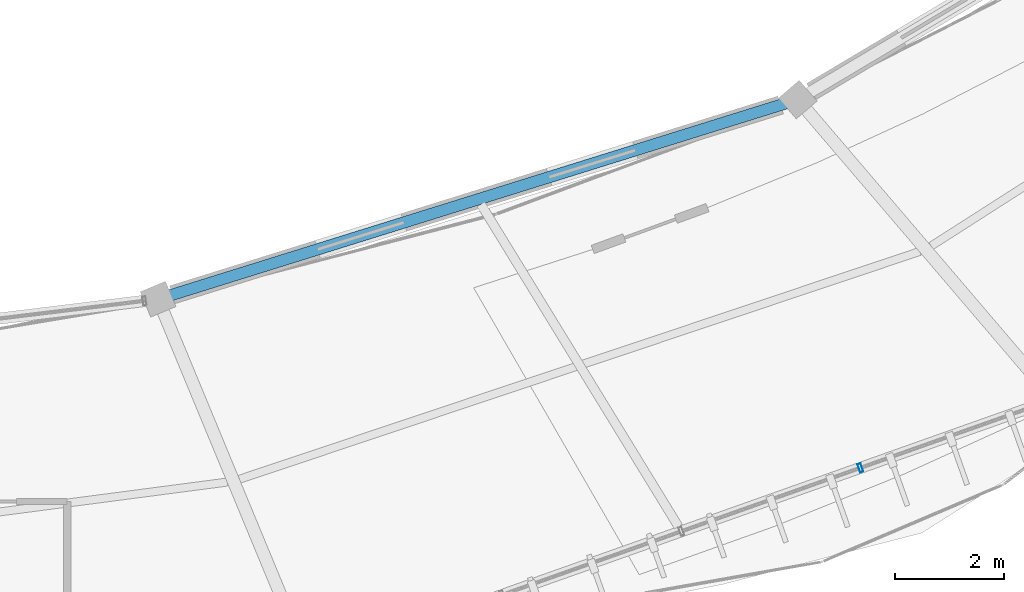
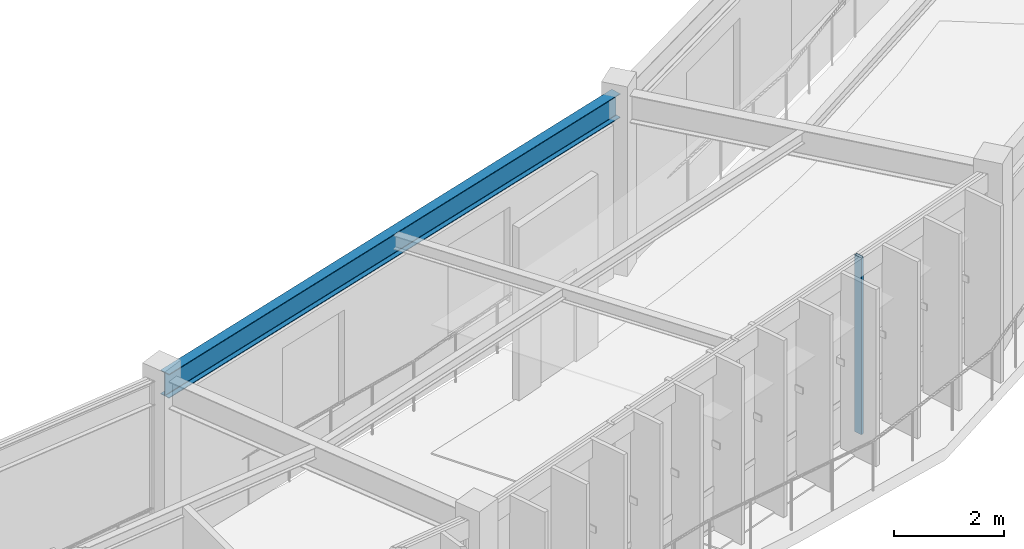
# One storey, part 45 of 79: 1 beam, 1 member, 1 element without a shape of its own.
"""IFC4 building model written with IfcOpenShell, lengths in metres."""

from ifc_helpers import new_model, si_unit, direction, frame, origin, origin_2d, place, context, subcontext, project, spatial, hollow_rectangle, i_section, extrude, material, material_profile, profile_set, type_object, element, aggregate, save


model = new_model("IFC4")

# Units and contexts
model_context = context("Model", 3, precision=1e-05, world=origin(), true_north=direction((0.0, 1.0)))
body_context = subcontext(model_context, "Body", "Model", "MODEL_VIEW")
ifc_project = project(units=[si_unit("LENGTHUNIT", "METRE"), si_unit("AREAUNIT", "SQUARE_METRE"), si_unit("VOLUMEUNIT", "CUBIC_METRE"), si_unit("PLANEANGLEUNIT", "RADIAN"), si_unit("MASSUNIT", "GRAM", prefix="KILO"), si_unit("THERMODYNAMICTEMPERATUREUNIT", "KELVIN"), si_unit("POWERUNIT", "WATT")], contexts=[model_context])

# Site, building, storey
site_placement = place(None, origin())
site = spatial("IfcSite", under=ifc_project, at=site_placement, CompositionType="ELEMENT")
building_placement = place(site_placement, origin())
building = spatial("IfcBuilding", under=site, at=building_placement, Name="Darbajah Civic Hall", CompositionType="ELEMENT")
storey_placement = place(building_placement, frame((0.0, 0.0, 22.199951171875)))
storey = spatial("IfcBuildingStorey", under=building, at=storey_placement, Name="L05", CompositionType="ELEMENT", Elevation=22.199951171875)

# Curtain wall, member
ifc_material_1 = material(Name="Anodised Bronze Aluminium and Low-E Glazing", Category="aluminium")
curtain_wall_type = type_object("IfcCurtainWallType", Name="Unitised Curtain Wall CW-85 13900x3900", PredefinedType="USERDEFINED", material=ifc_material_1)
curtain_wall_placement = place(storey_placement, origin())
curtain_wall = element("IfcCurtainWall", 1, at=curtain_wall_placement, inside=storey, type_object=curtain_wall_type, Name="L05 unitised curtain wall CW-V1O-L05-16", ObjectType="UNITISED CURTAIN WALL", PredefinedType="USERDEFINED")
ifc_material_2 = material(Name="Anodised Bronze Aluminium", Category="aluminium")
ifc_material_profile_1 = material_profile(ifc_material_2, hollow_rectangle(XDim=0.06005859375, YDim=0.159912109375, WallThickness=0.00341796875, at=origin_2d()), Name="ALU MULLION 60x160")
ifc_profile_set_1 = profile_set([ifc_material_profile_1], Name="Anodised Bronze Aluminium")
member_type = type_object("IfcMemberType", Name="ALU MULLION 60x160", PredefinedType="MULLION", material=ifc_profile_set_1)
member_placement = place(storey_placement, frame((118.690185546875, 66.1162109375, 0.0), z_axis=(0.0, 0.0, 1.0), x_axis=(0.94252491309, 0.334135882844, 0.0)))
member = element("IfcMember", 2, at=member_placement, type_object=member_type, Name="CW-V1O-L05-16 mullion 4", PredefinedType="MULLION", context=body_context, shape_type="SweptSolid", body=[
    extrude(hollow_rectangle(XDim=0.06005859375, YDim=0.159912109375, WallThickness=0.00341796875, at=origin_2d()), origin(), (0.0, 0.0, 1.0), 3.920166015625),
])
aggregate(curtain_wall, [member])

# Beam
ifc_material_3 = material(Name="Steel S355JR", Category="steel")
ifc_material_profile_2 = material_profile(ifc_material_3, i_section(OverallWidth=0.209228515625, OverallDepth=0.533203125, WebThickness=0.010009765625, FlangeThickness=0.015625, FilletRadius=0.0126953125, at=origin_2d()), Name="UB 533x210x92")
ifc_profile_set_2 = profile_set([ifc_material_profile_2], Name="Steel S355JR")
beam_type = type_object("IfcBeamType", Name="UB 533x210x92", PredefinedType="BEAM", material=ifc_profile_set_2)
beam_placement = place(storey_placement, frame((105.93798828125, 69.22119140625, 3.653564453125), z_axis=(0.954614020433, 0.297845718441, 0.0), x_axis=(-0.297845718441, 0.954614020433, 0.0)))
element("IfcBeam", 3, at=beam_placement, inside=storey, type_object=beam_type, Name="L05 beam SB-533", PredefinedType="BEAM", context=body_context, shape_type="SweptSolid", body=[
    extrude(i_section(OverallWidth=0.209228515625, OverallDepth=0.533203125, WebThickness=0.010009765625, FlangeThickness=0.015625, FilletRadius=0.0126953125, at=origin_2d()), origin(), (0.0, 0.0, 1.0), 12.079833984375),
])

save(model, "model.ifc")
